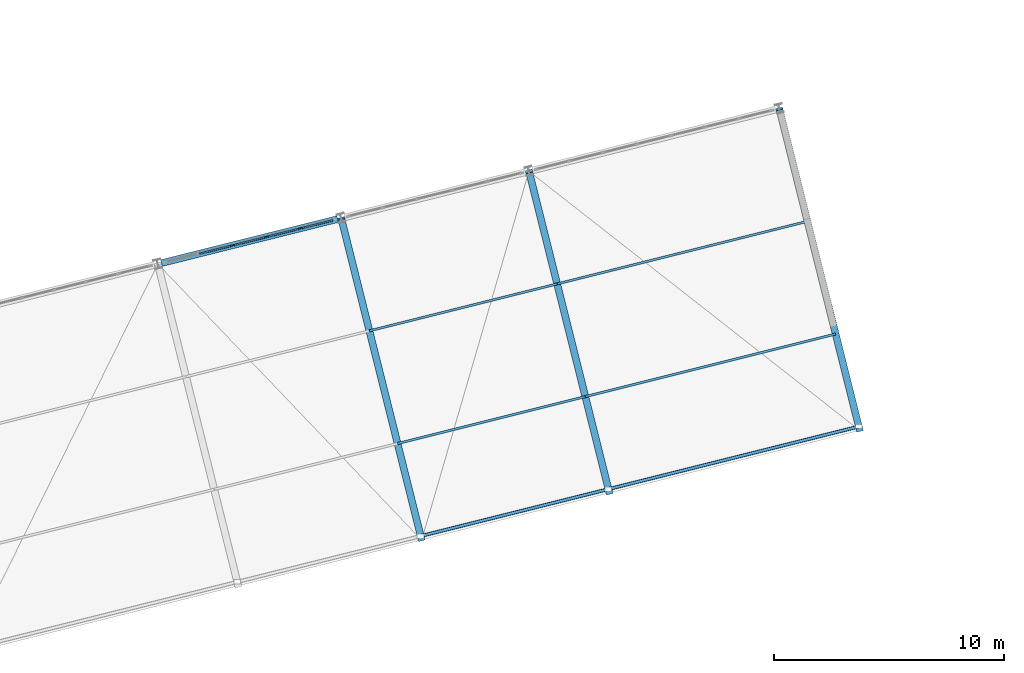
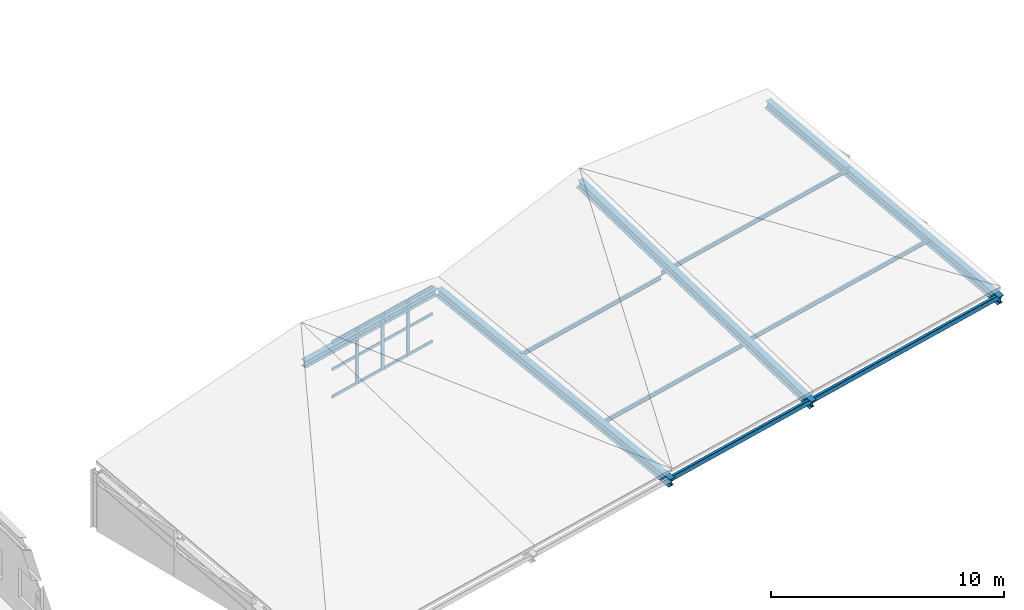
# One storey, part 11 of 47: 24 members, 1 beam, 1 element without a shape of its own.
"""IFC4 building model written with IfcOpenShell, lengths in metres."""

import ifcopenshell
import ifcopenshell.guid

model = None  # the IFC model being written
_history = None  # IfcOwnerHistory: only IFC2X3 demands one
_inside = {}  # id of a spatial element -> (the spatial element, [elements in it])
_under = {}  # id of a project, library or spatial element -> (it, [spatial elements below it])
_declared = {}  # id of a project -> (the project, [libraries it declares])
_typed = {}  # id of a type object -> (the type object, [elements of that type])
_made_of = {}  # id of a material, layer set ... -> (it, [elements and type objects made of it])


def new_model(schema):
    """Start an empty IFC model of exactly this schema.

    Asked for "IFC4X3", IfcOpenShell would pick the latest addendum, in which some entities
    have other attributes; the version numbers below select the first issue.
    IFC2X3 requires an IfcOwnerHistory on every rooted entity: one is made here for all.
    """
    global model, _history
    if schema == "IFC4X3":
        model = ifcopenshell.file(schema_version=(4, 3, 0, 0))
    else:
        model = ifcopenshell.file(schema=schema)
    _inside.clear()
    _under.clear()
    _declared.clear()
    _typed.clear()
    _made_of.clear()
    _history = None
    if model.schema == "IFC2X3":
        org = make("IfcOrganization", Name="unknown")
        user = make(
            "IfcPersonAndOrganization",
            ThePerson=make("IfcPerson", FamilyName="unknown"),
            TheOrganization=org,
        )
        app = make(
            "IfcApplication",
            ApplicationDeveloper=org,
            Version="unknown",
            ApplicationFullName="unknown",
            ApplicationIdentifier="unknown",
        )
        _history = make(
            "IfcOwnerHistory",
            OwningUser=user,
            OwningApplication=app,
            ChangeAction="ADDED",
            CreationDate=0,
        )
    return model


def make(cls, **values):
    """One entity of the class cls with the attributes given. An attribute that is None is left unset."""
    return model.create_entity(
        cls, **{name: value for name, value in values.items() if value is not None}
    )


def rooted(cls, **values):
    """An entity with a GlobalId (a new one), such as an element, a storey or a relation."""
    return make(cls, GlobalId=ifcopenshell.guid.new(), OwnerHistory=_history, **values)


def si_unit(unit_type, name, prefix=None):
    """IfcSIUnit, for example si_unit("LENGTHUNIT", "METRE", prefix="MILLI")."""
    return make("IfcSIUnit", UnitType=unit_type, Prefix=prefix, Name=name)


def assignment(units):
    """IfcUnitAssignment: the units of a project."""
    return None if units is None else make("IfcUnitAssignment", Units=units)


def point(xyz):
    """IfcCartesianPoint."""
    return None if xyz is None else make("IfcCartesianPoint", Coordinates=xyz)


def direction(xyz):
    """IfcDirection."""
    return None if xyz is None else make("IfcDirection", DirectionRatios=xyz)


def frame(location, z_axis=None, x_axis=None):
    """IfcAxis2Placement3D, a coordinate frame: its origin and axes. An axis left out is left unset."""
    return make(
        "IfcAxis2Placement3D",
        Location=point(location),
        Axis=direction(z_axis),
        RefDirection=direction(x_axis),
    )


def frame_2d(location, x_axis=None):
    """IfcAxis2Placement2D, a coordinate frame in the plane: its origin and x axis."""
    return make(
        "IfcAxis2Placement2D", Location=point(location), RefDirection=direction(x_axis)
    )


def origin():
    """The frame at (0, 0, 0) with its axes left unset."""
    return frame((0.0, 0.0, 0.0))


def origin_2d():
    """The frame at (0, 0) in the plane with its x axis left unset."""
    return frame_2d((0.0, 0.0))


def place(relative_to, where):
    """IfcLocalPlacement: puts the frame where relative to a parent placement (None: the world)."""
    return make(
        "IfcLocalPlacement", PlacementRelTo=relative_to, RelativePlacement=where
    )


def context(
    kind, dimensions, precision=None, world=None, true_north=None, identifier=None
):
    """IfcGeometricRepresentationContext, for example the 3D "Model" context."""
    return make(
        "IfcGeometricRepresentationContext",
        ContextIdentifier=identifier,
        ContextType=kind,
        CoordinateSpaceDimension=dimensions,
        Precision=precision,
        WorldCoordinateSystem=world,
        TrueNorth=true_north,
    )


def subcontext(parent, identifier, kind, view, scale=None):
    """IfcGeometricRepresentationSubContext, for example "Body" below "Model"."""
    return make(
        "IfcGeometricRepresentationSubContext",
        ContextIdentifier=identifier,
        ContextType=kind,
        ParentContext=parent,
        TargetScale=scale,
        TargetView=view,
    )


def project(units=None, contexts=None):
    """IfcProject with its units and contexts."""
    return rooted(
        "IfcProject",
        Name="project",
        RepresentationContexts=contexts,
        UnitsInContext=assignment(units),
    )


def spatial(cls, under=None, at=None, **own):
    """A site, building, storey or space (cls), placed at a placement, below another one or the project."""
    s = rooted(cls, ObjectPlacement=at, **own)
    if under is not None:
        _under.setdefault(under.id(), (under, []))[1].append(s)
    return s


def profile(cls, at=None, kind="AREA", **sizes):
    """A parametric profile (cls). Its sizes go by their IFC names, for example OverallWidth=200.0."""
    return make(cls, ProfileType=kind, Position=at, **sizes)


def rectangle(**sizes):
    """IfcRectangleProfileDef."""
    return profile("IfcRectangleProfileDef", **sizes)


def hollow_rectangle(**sizes):
    """IfcRectangleHollowProfileDef."""
    return profile("IfcRectangleHollowProfileDef", **sizes)


def i_section(**sizes):
    """IfcIShapeProfileDef."""
    return profile("IfcIShapeProfileDef", **sizes)


def extrude(swept, where, along, depth):
    """IfcExtrudedAreaSolid: the profile swept, set in the frame where, extruded along a direction by depth."""
    return make(
        "IfcExtrudedAreaSolid",
        SweptArea=swept,
        Position=where,
        ExtrudedDirection=direction(along),
        Depth=depth,
    )


def shape(context_of_items, identifier, shape_type, items):
    """IfcShapeRepresentation: the items that make up one representation, for example the "Body"."""
    return make(
        "IfcShapeRepresentation",
        ContextOfItems=context_of_items,
        RepresentationIdentifier=identifier,
        RepresentationType=shape_type,
        Items=items,
    )


def material(Name=None, Category=None):
    """IfcMaterial."""
    return make("IfcMaterial", Name=Name, Category=Category)


def layer(
    of_material, thickness, ventilated=None, Name=None, Category=None, Priority=None
):
    """IfcMaterialLayer: one layer of a wall or slab, of a material (None: an air gap)."""
    return make(
        "IfcMaterialLayer",
        Material=of_material,
        LayerThickness=thickness,
        IsVentilated=ventilated,
        Name=Name,
        Category=Category,
        Priority=Priority,
    )


def layer_set(layers, Name=None):
    """IfcMaterialLayerSet."""
    return make("IfcMaterialLayerSet", MaterialLayers=layers, LayerSetName=Name)


def material_profile(
    of_material, cross_section, Name=None, Category=None, Priority=None
):
    """IfcMaterialProfile: a cross section and its material."""
    return make(
        "IfcMaterialProfile",
        Name=Name,
        Material=of_material,
        Profile=cross_section,
        Priority=Priority,
        Category=Category,
    )


def profile_set(profiles, Name=None, composite=None):
    """IfcMaterialProfileSet."""
    return make(
        "IfcMaterialProfileSet",
        Name=Name,
        MaterialProfiles=profiles,
        CompositeProfile=composite,
    )


def made_of(thing, what):
    """Note that an element or type object is made of a material, layer set ...; save() writes the relation."""
    if what is not None:
        _made_of.setdefault(what.id(), (what, []))[1].append(thing)
    return thing


def type_object(cls, material=None, **own):
    """A type object (cls), such as IfcWallType, which elements share."""
    return made_of(rooted(cls, **own), material)


def element(
    cls,
    number,
    at=None,
    inside=None,
    cuts=None,
    type_object=None,
    material=None,
    context=None,
    identifier="Body",
    shape_type=None,
    held_by="IfcProductDefinitionShape",
    body=None,
    shapes=None,
    **own,
):
    """One element of the class cls, such as IfcWall. Its Tag is "e" and its number.

    at: its placement. inside: the storey or other place that contains it. cuts: it is an
    opening in that element (IfcRelVoidsElement). A single representation is given by context,
    identifier, shape_type and body (its items); several are given by shapes. held_by: the class
    of the entity that holds the representations. save() writes the other relations.
    """
    e = rooted(cls, Tag="e%d" % number, ObjectPlacement=at, **own)
    if body is not None:
        shapes = [shape(context, identifier, shape_type, body)]
    if shapes is not None:
        e.Representation = make(held_by, Representations=shapes)
    if inside is not None:
        _inside.setdefault(inside.id(), (inside, []))[1].append(e)
    if cuts is not None:
        rooted(
            "IfcRelVoidsElement", RelatingBuildingElement=cuts, RelatedOpeningElement=e
        )
    if type_object is not None:
        _typed.setdefault(type_object.id(), (type_object, []))[1].append(e)
    return made_of(e, material)


def aggregate(whole, parts):
    """IfcRelAggregates: a whole, such as a stair, and the parts it consists of."""
    return rooted("IfcRelAggregates", RelatingObject=whole, RelatedObjects=parts)


def save(model, path):
    """Write the relations noted so far, then the file.

    IfcRelAggregates (storeys below a building ...), IfcRelContainedInSpatialStructure (elements
    in a storey), IfcRelDefinesByType, IfcRelAssociatesMaterial and IfcRelDeclares: one each for
    every whole, place, type object, material and project.
    """
    for whole, parts in _under.values():
        aggregate(whole, parts)
    for where, things in _inside.values():
        rooted(
            "IfcRelContainedInSpatialStructure",
            RelatedElements=things,
            RelatingStructure=where,
        )
    for kind, things in _typed.values():
        rooted("IfcRelDefinesByType", RelatedObjects=things, RelatingType=kind)
    for what, things in _made_of.values():
        rooted("IfcRelAssociatesMaterial", RelatedObjects=things, RelatingMaterial=what)
    for by, libraries in _declared.values():
        rooted("IfcRelDeclares", RelatingContext=by, RelatedDefinitions=libraries)
    model.write(path)


model = new_model("IFC4")

# Units and contexts
model_context = context("Model", 3, precision=1e-05, world=origin(), true_north=direction((0.0, 1.0)))
body_context = subcontext(model_context, "Body", "Model", "MODEL_VIEW")
ifc_project = project(units=[si_unit("LENGTHUNIT", "METRE"), si_unit("AREAUNIT", "SQUARE_METRE"), si_unit("VOLUMEUNIT", "CUBIC_METRE"), si_unit("PLANEANGLEUNIT", "RADIAN"), si_unit("MASSUNIT", "GRAM", prefix="KILO")], contexts=[model_context])

# Site, building, storey
site_placement = place(None, origin())
site = spatial("IfcSite", under=ifc_project, at=site_placement, CompositionType="ELEMENT")
building_placement = place(site_placement, origin())
building = spatial("IfcBuilding", under=site, at=building_placement, Name="Nordkorset Police Headquarters", CompositionType="ELEMENT")
storey_placement = place(building_placement, frame((0.0, 0.0, 22.050048828125)))
storey = spatial("IfcBuildingStorey", under=building, at=storey_placement, Name="L05", CompositionType="ELEMENT", Elevation=22.050048828125)

# Curtain wall, members
ifc_material_1 = material(Name="Aluminium alloy AW-6060", Category="aluminium")
ifc_layer = layer(ifc_material_1, 0.179931640625, Name="Aluminium alloy AW-6060")
ifc_layer_set = layer_set([ifc_layer], Name="Aluminium alloy AW-6060")
curtain_wall_type = type_object("IfcCurtainWallType", Name="CW_Unit_760x293", PredefinedType="USERDEFINED", material=ifc_layer_set)
curtain_wall_placement = place(storey_placement, origin())
curtain_wall = element("IfcCurtainWall", 1, at=curtain_wall_placement, inside=storey, type_object=curtain_wall_type, Name="Unitised Curtain Wall L05 V4CLER-1", ObjectType="UNITISED CURTAIN WALL", PredefinedType="USERDEFINED")
ifc_material_2 = material(Name="Aluminium alloy AW-6060", Category="aluminium")
ifc_material_profile_1 = material_profile(ifc_material_2, rectangle(XDim=0.06494140625, YDim=0.179931640625, at=origin_2d()), Name="ALU MULL 65x180")
ifc_profile_set_1 = profile_set([ifc_material_profile_1], Name="Aluminium alloy AW-6060")
member_type_1 = type_object("IfcMemberType", Name="CW_Mullion_65x180", PredefinedType="MULLION", material=ifc_profile_set_1)
member_1_placement = place(storey_placement, frame((35.18359375, 59.739013671875, 0.0), z_axis=(0.0, 0.0, 1.0), x_axis=(-0.242535625038, 0.970142500145, 0.0)))
member_1 = element("IfcMember", 2, at=member_1_placement, type_object=member_type_1, Name="CW-94 mullion 3", PredefinedType="MULLION", context=body_context, shape_type="SweptSolid", body=[
    extrude(rectangle(XDim=0.06494140625, YDim=0.179931640625, at=origin_2d()), origin(), (0.0, 0.0, 1.0), 2.929931640625),
])
member_2_placement = place(storey_placement, frame((36.658203125, 60.107666015625, 0.0), z_axis=(0.0, 0.0, 1.0), x_axis=(-0.242535625038, 0.970142500145, 0.0)))
member_2 = element("IfcMember", 3, at=member_2_placement, type_object=member_type_1, Name="CW-94 mullion 4", PredefinedType="MULLION", context=body_context, shape_type="SweptSolid", body=[
    extrude(rectangle(XDim=0.06494140625, YDim=0.179931640625, at=origin_2d()), origin(), (0.0, 0.0, 1.0), 2.929931640625),
])
member_3_placement = place(storey_placement, frame((38.1328125, 60.476318359375, 0.0), z_axis=(0.0, 0.0, 1.0), x_axis=(-0.242535625038, 0.970142500145, 0.0)))
member_3 = element("IfcMember", 4, at=member_3_placement, type_object=member_type_1, Name="CW-94 mullion 5", PredefinedType="MULLION", context=body_context, shape_type="SweptSolid", body=[
    extrude(rectangle(XDim=0.06494140625, YDim=0.179931640625, at=origin_2d()), origin(), (0.0, 0.0, 1.0), 2.929931640625),
])
ifc_material_3 = material(Name="Aluminium alloy AW-6060", Category="aluminium")
ifc_material_profile_2 = material_profile(ifc_material_3, rectangle(XDim=0.06494140625, YDim=0.139892578125, at=origin_2d()), Name="ALU TRAN 65x140")
ifc_profile_set_2 = profile_set([ifc_material_profile_2], Name="Aluminium alloy AW-6060")
member_type_2 = type_object("IfcMemberType", Name="CW_Transom_65x140", PredefinedType="USERDEFINED", material=ifc_profile_set_2)
member_4_placement = place(storey_placement, frame((33.740478515625, 59.378173828125, 0.032470703125), z_axis=(0.970112879284, 0.242654077745, 0.0), x_axis=(-0.242654077745, 0.970112879284, 0.0)))
member_4 = element("IfcMember", 5, at=member_4_placement, type_object=member_type_2, Name="CW-94 transom 2.1", ObjectType="TRANSOM", PredefinedType="USERDEFINED", context=body_context, shape_type="SweptSolid", body=[
    extrude(rectangle(XDim=0.06494140625, YDim=0.139892578125, at=origin_2d()), origin(), (0.0, 0.0, 1.0), 1.454833984375),
])
member_5_placement = place(storey_placement, frame((33.740478515625, 59.378173828125, 1.46484375), z_axis=(0.970112879284, 0.242654077745, 0.0), x_axis=(-0.242654077745, 0.970112879284, 0.0)))
member_5 = element("IfcMember", 6, at=member_5_placement, type_object=member_type_2, Name="CW-94 transom 2.2", ObjectType="TRANSOM", PredefinedType="USERDEFINED", context=body_context, shape_type="SweptSolid", body=[
    extrude(rectangle(XDim=0.06494140625, YDim=0.139892578125, at=origin_2d()), origin(), (0.0, 0.0, 1.0), 1.454833984375),
])
member_6_placement = place(storey_placement, frame((33.740478515625, 59.378173828125, 2.8974609375), z_axis=(0.970112879284, 0.242654077745, 0.0), x_axis=(-0.242654077745, 0.970112879284, 0.0)))
member_6 = element("IfcMember", 7, at=member_6_placement, type_object=member_type_2, Name="CW-94 transom 2.3", ObjectType="TRANSOM", PredefinedType="USERDEFINED", context=body_context, shape_type="SweptSolid", body=[
    extrude(rectangle(XDim=0.06494140625, YDim=0.139892578125, at=origin_2d()), origin(), (0.0, 0.0, 1.0), 1.454833984375),
])
member_7_placement = place(storey_placement, frame((35.215087890625, 59.746826171875, 0.032470703125), z_axis=(0.970122757726, 0.242614581057, 0.0), x_axis=(-0.242614581057, 0.970122757726, 0.0)))
member_7 = element("IfcMember", 8, at=member_7_placement, type_object=member_type_2, Name="CW-94 transom 3.1", ObjectType="TRANSOM", PredefinedType="USERDEFINED", context=body_context, shape_type="SweptSolid", body=[
    extrude(rectangle(XDim=0.06494140625, YDim=0.139892578125, at=origin_2d()), origin(), (0.0, 0.0, 1.0), 1.455078125),
])
member_8_placement = place(storey_placement, frame((35.215087890625, 59.746826171875, 1.46484375), z_axis=(0.970122757726, 0.242614581057, 0.0), x_axis=(-0.242614581057, 0.970122757726, 0.0)))
member_8 = element("IfcMember", 9, at=member_8_placement, type_object=member_type_2, Name="CW-94 transom 3.2", ObjectType="TRANSOM", PredefinedType="USERDEFINED", context=body_context, shape_type="SweptSolid", body=[
    extrude(rectangle(XDim=0.06494140625, YDim=0.139892578125, at=origin_2d()), origin(), (0.0, 0.0, 1.0), 1.455078125),
])
member_9_placement = place(storey_placement, frame((35.215087890625, 59.746826171875, 2.8974609375), z_axis=(0.970122757726, 0.242614581057, 0.0), x_axis=(-0.242614581057, 0.970122757726, 0.0)))
member_9 = element("IfcMember", 10, at=member_9_placement, type_object=member_type_2, Name="CW-94 transom 3.3", ObjectType="TRANSOM", PredefinedType="USERDEFINED", context=body_context, shape_type="SweptSolid", body=[
    extrude(rectangle(XDim=0.06494140625, YDim=0.139892578125, at=origin_2d()), origin(), (0.0, 0.0, 1.0), 1.455078125),
])
member_10_placement = place(storey_placement, frame((36.689697265625, 60.115478515625, 0.032470703125), z_axis=(0.970122757726, 0.242614581057, 0.0), x_axis=(-0.242614581057, 0.970122757726, 0.0)))
member_10 = element("IfcMember", 11, at=member_10_placement, type_object=member_type_2, Name="CW-94 transom 4.1", ObjectType="TRANSOM", PredefinedType="USERDEFINED", context=body_context, shape_type="SweptSolid", body=[
    extrude(rectangle(XDim=0.06494140625, YDim=0.139892578125, at=origin_2d()), origin(), (0.0, 0.0, 1.0), 1.455078125),
])
member_11_placement = place(storey_placement, frame((36.689697265625, 60.115478515625, 1.46484375), z_axis=(0.970122757726, 0.242614581057, 0.0), x_axis=(-0.242614581057, 0.970122757726, 0.0)))
member_11 = element("IfcMember", 12, at=member_11_placement, type_object=member_type_2, Name="CW-94 transom 4.2", ObjectType="TRANSOM", PredefinedType="USERDEFINED", context=body_context, shape_type="SweptSolid", body=[
    extrude(rectangle(XDim=0.06494140625, YDim=0.139892578125, at=origin_2d()), origin(), (0.0, 0.0, 1.0), 1.455078125),
])
member_12_placement = place(storey_placement, frame((36.689697265625, 60.115478515625, 2.8974609375), z_axis=(0.970122757726, 0.242614581057, 0.0), x_axis=(-0.242614581057, 0.970122757726, 0.0)))
member_12 = element("IfcMember", 13, at=member_12_placement, type_object=member_type_2, Name="CW-94 transom 4.3", ObjectType="TRANSOM", PredefinedType="USERDEFINED", context=body_context, shape_type="SweptSolid", body=[
    extrude(rectangle(XDim=0.06494140625, YDim=0.139892578125, at=origin_2d()), origin(), (0.0, 0.0, 1.0), 1.455078125),
])
member_13_placement = place(storey_placement, frame((38.164306640625, 60.484130859375, 0.032470703125), z_axis=(0.970102101112, 0.242697164008, 0.0), x_axis=(-0.242697164008, 0.970102101112, 0.0)))
member_13 = element("IfcMember", 14, at=member_13_placement, type_object=member_type_2, Name="CW-94 transom 5.1", ObjectType="TRANSOM", PredefinedType="USERDEFINED", context=body_context, shape_type="SweptSolid", body=[
    extrude(rectangle(XDim=0.06494140625, YDim=0.139892578125, at=origin_2d()), origin(), (0.0, 0.0, 1.0), 1.42236328125),
])
member_14_placement = place(storey_placement, frame((38.164306640625, 60.484130859375, 1.46484375), z_axis=(0.970102101112, 0.242697164008, 0.0), x_axis=(-0.242697164008, 0.970102101112, 0.0)))
member_14 = element("IfcMember", 15, at=member_14_placement, type_object=member_type_2, Name="CW-94 transom 5.2", ObjectType="TRANSOM", PredefinedType="USERDEFINED", context=body_context, shape_type="SweptSolid", body=[
    extrude(rectangle(XDim=0.06494140625, YDim=0.139892578125, at=origin_2d()), origin(), (0.0, 0.0, 1.0), 1.42236328125),
])
member_15_placement = place(storey_placement, frame((38.164306640625, 60.484130859375, 2.8974609375), z_axis=(0.970102101112, 0.242697164008, 0.0), x_axis=(-0.242697164008, 0.970102101112, 0.0)))
member_15 = element("IfcMember", 16, at=member_15_placement, type_object=member_type_2, Name="CW-94 transom 5.3", ObjectType="TRANSOM", PredefinedType="USERDEFINED", context=body_context, shape_type="SweptSolid", body=[
    extrude(rectangle(XDim=0.06494140625, YDim=0.139892578125, at=origin_2d()), origin(), (0.0, 0.0, 1.0), 1.42236328125),
])
aggregate(curtain_wall, [member_1, member_2, member_3, member_4, member_5, member_6, member_7, member_8, member_9, member_10, member_11, member_12, member_13, member_14, member_15])

# Members
ifc_material_4 = material(Name="Steel S355J2", Category="steel")
ifc_material_profile_3 = material_profile(ifc_material_4, hollow_rectangle(XDim=0.14990234375, YDim=0.25, WallThickness=0.010009765625, InnerFilletRadius=0.010009765625, OuterFilletRadius=0.02001953125, at=origin_2d()), Name="RHS 250x150x10")
ifc_profile_set_3 = profile_set([ifc_material_profile_3], Name="Steel S355J2")
member_type_3 = type_object("IfcMemberType", Name="Chord_RHS_250x150x10", PredefinedType="CHORD", material=ifc_profile_set_3)
member_16_placement = place(storey_placement, frame((43.35302734375, 47.123779296875, -0.2099609375), z_axis=(0.970142500145, 0.242535625036, 0.0), x_axis=(-0.242535625036, 0.970142500145, 0.0)))
element("IfcMember", 17, at=member_16_placement, inside=storey, type_object=member_type_3, Name="Splayed Wing Folded Roof Low Chord Bay 3", PredefinedType="CHORD", context=body_context, shape_type="SweptSolid", body=[
    extrude(hollow_rectangle(XDim=0.14990234375, YDim=0.25, WallThickness=0.010009765625, InnerFilletRadius=0.010009765625, OuterFilletRadius=0.02001953125, at=origin_2d()), origin(), (0.0, 0.0, 1.0), 8.38818359375),
])
member_17_placement = place(storey_placement, frame((51.502197265625, 49.1611328125, -0.2099609375), z_axis=(0.970145067339, 0.242525356031, 0.0), x_axis=(-0.242525356031, 0.970145067339, 0.0)))
element("IfcMember", 18, at=member_17_placement, inside=storey, type_object=member_type_3, Name="Splayed Wing Folded Roof Low Chord Bay 4", PredefinedType="CHORD", context=body_context, shape_type="SweptSolid", body=[
    extrude(hollow_rectangle(XDim=0.14990234375, YDim=0.25, WallThickness=0.010009765625, InnerFilletRadius=0.010009765625, OuterFilletRadius=0.02001953125, at=origin_2d()), origin(), (0.0, 0.0, 1.0), 11.18798828125),
])

# Beam
ifc_material_5 = material(Name="Steel S355J2", Category="steel")
ifc_material_profile_4 = material_profile(ifc_material_5, i_section(OverallWidth=0.300048828125, OverallDepth=0.35009765625, WebThickness=0.010009765625, FlangeThickness=0.017578125, FilletRadius=0.027099609375, at=origin_2d()), Name="HEA 360")
ifc_profile_set_4 = profile_set([ifc_material_profile_4], Name="Steel S355J2")
beam_type = type_object("IfcBeamType", Name="Girder_HEA_360", PredefinedType="USERDEFINED", material=ifc_profile_set_4)
beam_placement = place(storey_placement, frame((32.098388671875, 58.9677734375, 2.58984375), z_axis=(0.970144322598, 0.24252833511, 0.0), x_axis=(-0.24252833511, 0.970144322598, 0.0)))
element("IfcBeam", 19, at=beam_placement, inside=storey, type_object=beam_type, Name="Splayed Wing Clerestory Roof Tie Girder 2", ObjectType="GIRDER", PredefinedType="USERDEFINED", context=body_context, shape_type="SweptSolid", body=[
    extrude(i_section(OverallWidth=0.300048828125, OverallDepth=0.35009765625, WebThickness=0.010009765625, FlangeThickness=0.017578125, FilletRadius=0.027099609375, at=origin_2d()), origin(), (0.0, 0.0, 1.0), 7.880126953125),
])

# Members
ifc_material_6 = material(Name="Steel S355J2", Category="steel")
ifc_material_profile_5 = material_profile(ifc_material_6, i_section(OverallWidth=0.10009765625, OverallDepth=0.199951171875, WebThickness=0.005615234375, FlangeThickness=0.008544921875, FilletRadius=0.011962890625, at=origin_2d()), Name="IPE 200")
ifc_profile_set_5 = profile_set([ifc_material_profile_5], Name="Steel S355J2")
member_type_4 = type_object("IfcMemberType", Name="Purlin_IPE_200", PredefinedType="PURLIN", material=ifc_profile_set_5)
member_18_placement = place(storey_placement, frame((41.126708984375, 56.02978515625, 1.655517578125), z_axis=(0.970140787988, 0.242542473562, 0.0), x_axis=(-0.242542473562, 0.970140787988, 0.0)))
element("IfcMember", 20, at=member_18_placement, inside=storey, type_object=member_type_4, Name="Splayed Wing Folded Roof Purlin Bay 3", PredefinedType="PURLIN", context=body_context, shape_type="SweptSolid", body=[
    extrude(i_section(OverallWidth=0.10009765625, OverallDepth=0.199951171875, WebThickness=0.005615234375, FlangeThickness=0.008544921875, FilletRadius=0.011962890625, at=origin_2d()), origin(), (0.0, 0.0, 1.0), 8.387939453125),
])
member_19_placement = place(storey_placement, frame((42.348876953125, 51.14013671875, 0.65087890625), z_axis=(0.970142500145, 0.242535625036, 0.0), x_axis=(-0.242535625036, 0.970142500145, 0.0)))
element("IfcMember", 21, at=member_19_placement, inside=storey, type_object=member_type_4, Name="Splayed Wing Folded Roof Purlin Bay 3", PredefinedType="PURLIN", context=body_context, shape_type="SweptSolid", body=[
    extrude(i_section(OverallWidth=0.10009765625, OverallDepth=0.199951171875, WebThickness=0.005615234375, FlangeThickness=0.008544921875, FilletRadius=0.011962890625, at=origin_2d()), origin(), (0.0, 0.0, 1.0), 8.38818359375),
])
for number, where, z_axis, x_axis, name in (
    (22, (49.27587890625, 58.06689453125, 1.850341796875), (0.97013864909, 0.242551028739, 0.0), (-0.242551028739, 0.97013864909, 0.0), "Splayed Wing Folded Roof Purlin Bay 4"),
    (23, (50.498291015625, 53.177490234375, 0.740966796875), (0.970143783783, 0.242530490428, 0.0), (-0.242530490428, 0.970143783783, 0.0), "Splayed Wing Folded Roof Purlin Bay 4"),
):
    element("IfcMember", number, at=place(storey_placement, frame(where, z_axis=z_axis, x_axis=x_axis)), inside=storey, type_object=member_type_4, Name=name, PredefinedType="PURLIN", context=body_context, shape_type="SweptSolid", body=[
        extrude(i_section(OverallWidth=0.10009765625, OverallDepth=0.199951171875, WebThickness=0.005615234375, FlangeThickness=0.008544921875, FilletRadius=0.011962890625, at=origin_2d()), origin(), (0.0, 0.0, 1.0), 11.187744140625),
    ])
ifc_material_7 = material(Name="Steel S355J2", Category="steel")
ifc_material_profile_6 = material_profile(ifc_material_7, i_section(OverallWidth=0.300048828125, OverallDepth=0.43994140625, WebThickness=0.011474609375, FlangeThickness=0.02099609375, FilletRadius=0.027099609375, at=origin_2d()), Name="HEA 450")
ifc_profile_set_6 = profile_set([ifc_material_profile_6], Name="Steel S355J2")
member_type_5 = type_object("IfcMemberType", Name="Rafter_HEA_450", PredefinedType="RAFTER", material=ifc_profile_set_6)
member_20_placement = place(storey_placement, frame((39.90087890625, 60.907958984375, 2.47998046875), z_axis=(0.238153240842, -0.952629634929, -0.189155524718), x_axis=(0.970143498847, 0.242531630196, 0.0)))
element("IfcMember", 24, at=member_20_placement, inside=storey, type_object=member_type_5, Name="Splayed Wing Folded Roof Rafter 3", PredefinedType="RAFTER", context=body_context, shape_type="SweptSolid", body=[
    extrude(i_section(OverallWidth=0.300048828125, OverallDepth=0.43994140625, WebThickness=0.011474609375, FlangeThickness=0.02099609375, FilletRadius=0.027099609375, at=origin_2d()), origin(), (0.0, 0.0, 1.0), 14.64404296875),
])
member_21_placement = place(storey_placement, frame((48.050048828125, 62.9453125, 4.079833984375), z_axis=(0.232049726631, -0.928231395111, -0.290756601818), x_axis=(0.970144497499, 0.242527635483, 0.0)))
element("IfcMember", 25, at=member_21_placement, inside=storey, type_object=member_type_5, Name="Splayed Wing Folded Roof Rafter 4", PredefinedType="RAFTER", context=body_context, shape_type="SweptSolid", body=[
    extrude(i_section(OverallWidth=0.300048828125, OverallDepth=0.43994140625, WebThickness=0.011474609375, FlangeThickness=0.02099609375, FilletRadius=0.027099609375, at=origin_2d()), origin(), (0.0, 0.0, 1.0), 15.029296875),
])
member_22_placement = place(storey_placement, frame((58.91552734375, 65.661865234375, 2.780029296875), z_axis=(0.237198102376, -0.948759202432, -0.208789453827), x_axis=(0.970140502734, 0.24254361454, 0.0)))
element("IfcMember", 26, at=member_22_placement, inside=storey, type_object=member_type_5, Name="Splayed Wing Folded Roof Rafter 5", PredefinedType="RAFTER", context=body_context, shape_type="SweptSolid", body=[
    extrude(i_section(OverallWidth=0.300048828125, OverallDepth=0.43994140625, WebThickness=0.011474609375, FlangeThickness=0.02099609375, FilletRadius=0.027099609375, at=origin_2d()), origin(), (0.0, 0.0, 1.0), 14.7041015625),
])

save(model, "model.ifc")
